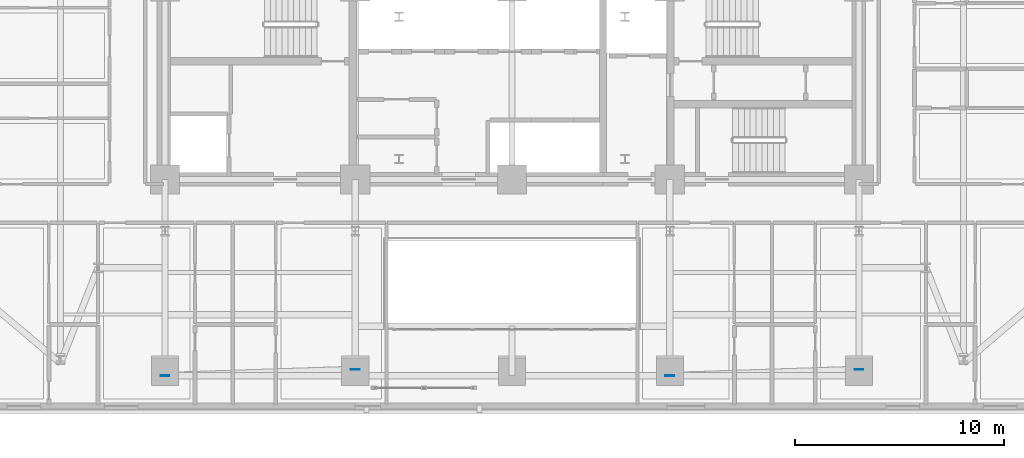
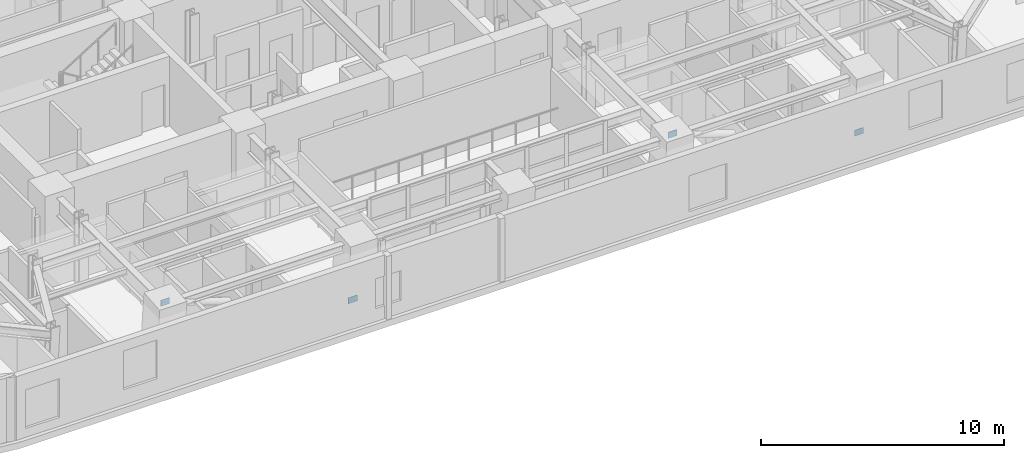
# One storey, part 7 of 16: 4 plates.
"""IFC4 building model written with IfcOpenShell, lengths in metres."""

from ifc_helpers import new_model, si_unit, direction, frame, origin, origin_2d, place, context, subcontext, project, spatial, rectangle, extrude, material, layer, layer_set, type_object, element, save


model = new_model("IFC4")

# Units and contexts
model_context = context("Model", 3, precision=1e-05, world=origin(), true_north=direction((0.0, 1.0)))
body_context = subcontext(model_context, "Body", "Model", "MODEL_VIEW")
ifc_project = project(units=[si_unit("LENGTHUNIT", "METRE"), si_unit("AREAUNIT", "SQUARE_METRE"), si_unit("VOLUMEUNIT", "CUBIC_METRE"), si_unit("PLANEANGLEUNIT", "RADIAN"), si_unit("MASSUNIT", "GRAM", prefix="KILO")], contexts=[model_context])

# Site, building, storey
site_placement = place(None, origin())
site = spatial("IfcSite", under=ifc_project, at=site_placement, CompositionType="ELEMENT")
building_placement = place(site_placement, origin())
building = spatial("IfcBuilding", under=site, at=building_placement, Name="Zarnavel Station Tower", CompositionType="ELEMENT")
storey_placement = place(building_placement, frame((0.0, 0.0, 82.800048828125)))
storey = spatial("IfcBuildingStorey", under=building, at=storey_placement, Name="L22", CompositionType="ELEMENT", Elevation=82.800048828125)

# Plates
ifc_material = material(Name="Steel S460M", Category="steel")
ifc_layer = layer(ifc_material, 0.02490234375)
ifc_layer_set = layer_set([ifc_layer], Name="GP_GUSSET_25")
plate_type = type_object("IfcPlateType", Name="GP_GUSSET_25", PredefinedType="USERDEFINED", material=ifc_layer_set)
for number, where, z_axis, x_axis, name in (
    (1, (21.300048828125, 18.724609375, -0.14990234375), (0.0, 0.0, 1.0), (1.0, 0.0, 0.0), "L22 Exterior Diagonal Brace End Gusset 1-1"),
    (2, (12.199951171875, 18.430908203125, 3.08984375), (0.0, 0.0, 1.0), (1.0, 0.0, 0.0), "L22 Exterior Diagonal Brace End Gusset 1-2"),
    (3, (45.39990234375, 18.724609375, -0.14990234375), (0.0, 0.0, 1.0), (1.0, 0.0, 0.0), "L22 Exterior Diagonal Brace End Gusset 2-1"),
    (4, (36.35009765625, 18.430908203125, 3.08984375), (0.0, 0.0, 1.0), (1.0, 0.0, 0.0), "L22 Exterior Diagonal Brace End Gusset 2-2"),
):
    element("IfcPlate", number, at=place(storey_placement, frame(where, z_axis=z_axis, x_axis=x_axis)), inside=storey, type_object=plate_type, Name=name, ObjectType="GUSSET_PLATE", PredefinedType="USERDEFINED", context=body_context, shape_type="SweptSolid", body=[
        extrude(rectangle(XDim=0.419921875, YDim=0.02490234375, at=origin_2d()), origin(), (0.0, 0.0, 1.0), 0.300048828125),
    ])

save(model, "model.ifc")
